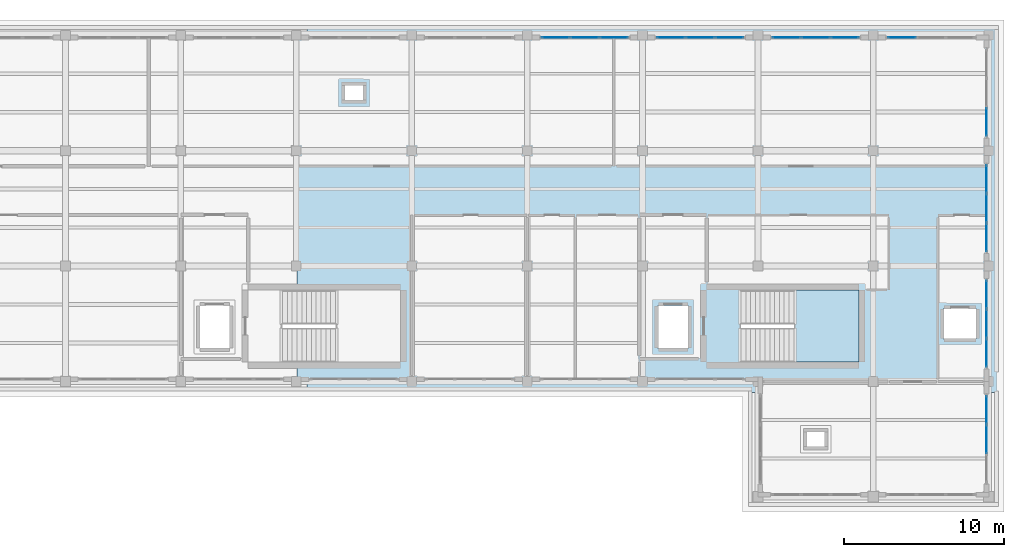
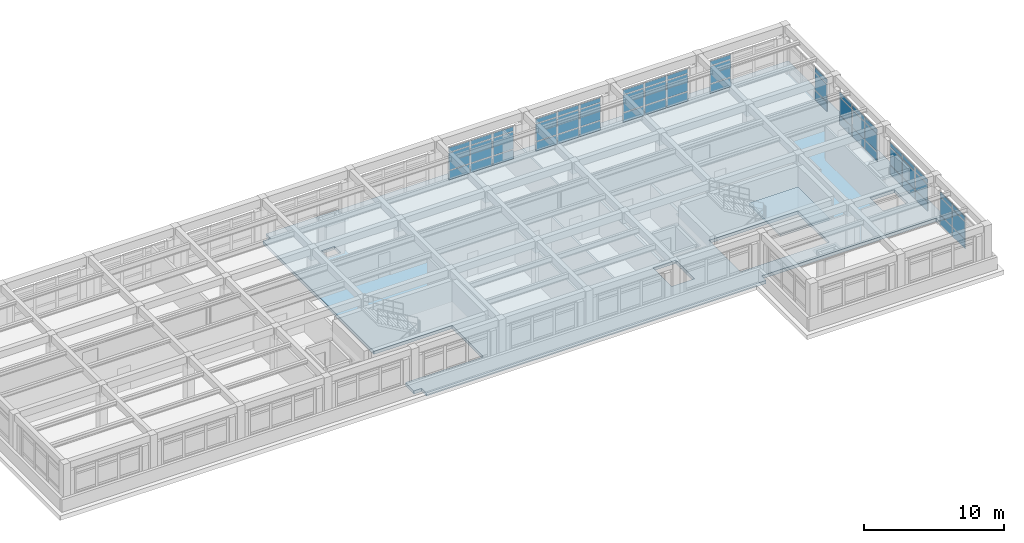
# One storey, part 13 of 19: 57 plates, 2 slabs, 9 elements without a shape of their own.
"""IFC4 building model written with IfcOpenShell, lengths in metres."""

from ifc_helpers import new_model, si_unit, direction, frame, origin, origin_2d, place, context, subcontext, project, spatial, polyline, rectangle, outline, extrude, material, layer, layer_set, type_object, element, aggregate, save


model = new_model("IFC4")

# Units and contexts
model_context = context("Model", 3, precision=1e-05, world=origin(), true_north=direction((0.0, 1.0)))
body_context = subcontext(model_context, "Body", "Model", "MODEL_VIEW")
ifc_project = project(units=[si_unit("LENGTHUNIT", "METRE"), si_unit("AREAUNIT", "SQUARE_METRE"), si_unit("VOLUMEUNIT", "CUBIC_METRE"), si_unit("PLANEANGLEUNIT", "RADIAN"), si_unit("MASSUNIT", "GRAM", prefix="KILO")], contexts=[model_context])

# Site, building, storey
site_placement = place(None, origin())
site = spatial("IfcSite", under=ifc_project, at=site_placement, CompositionType="ELEMENT")
building_placement = place(site_placement, origin())
building = spatial("IfcBuilding", under=site, at=building_placement, Name="Solenvale Faculty of Natural Sciences", CompositionType="ELEMENT")
storey_placement = place(building_placement, frame((0.0, 0.0, 27.0)))
storey = spatial("IfcBuildingStorey", under=building, at=storey_placement, Name="L06", CompositionType="ELEMENT", Elevation=27.0)

# Curtain wall, plates
ifc_material_1 = material(Name="Anodised bronze aluminium", Category="aluminium")
ifc_layer_1 = layer(ifc_material_1, 0.179931640625)
ifc_layer_set_1 = layer_set([ifc_layer_1], Name="Anodised bronze aluminium")
curtain_wall_type = type_object("IfcCurtainWallType", Name="CW-TWR-MOD", PredefinedType="USERDEFINED", material=ifc_layer_set_1)
curtain_wall_1_placement = place(storey_placement, origin())
curtain_wall_1 = element("IfcCurtainWall", 1, at=curtain_wall_1_placement, inside=storey, type_object=curtain_wall_type, Name="L06 Curtain Wall CW-L06-P1-E1-B1", ObjectType="UNITISED CURTAIN WALL", PredefinedType="USERDEFINED")
ifc_material_2 = material(Name="Triple low-E insulated glass", Category="glass")
ifc_layer_2 = layer(ifc_material_2, 0.031982421875)
ifc_layer_set_2 = layer_set([ifc_layer_2], Name="Triple low-E insulated glass")
plate_type_1 = type_object("IfcPlateType", Name="CWP-PNL-32", PredefinedType="CURTAIN_PANEL", material=ifc_layer_set_2)
plate_1_placement = place(storey_placement, frame((151.0576171875, 95.385498046875, 0.074951171875), z_axis=(0.0, 0.0, 1.0), x_axis=(0.0, 1.0, 0.0)))
plate_1 = element("IfcPlate", 2, at=plate_1_placement, type_object=plate_type_1, Name="CW-04 panel 1.1", PredefinedType="CURTAIN_PANEL", context=body_context, shape_type="SweptSolid", body=[
    extrude(rectangle(XDim=1.720947265625, YDim=0.031982421875, at=origin_2d()), origin(), (0.0, 0.0, 1.0), 0.78759765625),
])
plate_2_placement = place(storey_placement, frame((151.0576171875, 95.385498046875, 0.9375), z_axis=(0.0, 0.0, 1.0), x_axis=(0.0, 1.0, 0.0)))
plate_2 = element("IfcPlate", 3, at=plate_2_placement, type_object=plate_type_1, Name="CW-04 panel 1.2", PredefinedType="CURTAIN_PANEL", context=body_context, shape_type="SweptSolid", body=[
    extrude(rectangle(XDim=1.720947265625, YDim=0.031982421875, at=origin_2d()), origin(), (0.0, 0.0, 1.0), 1.485107421875),
])
plate_3_placement = place(storey_placement, frame((151.0576171875, 95.385498046875, 2.49755859375), z_axis=(0.0, 0.0, 1.0), x_axis=(0.0, 1.0, 0.0)))
plate_3 = element("IfcPlate", 4, at=plate_3_placement, type_object=plate_type_1, Name="CW-04 panel 1.3", PredefinedType="CURTAIN_PANEL", context=body_context, shape_type="SweptSolid", body=[
    extrude(rectangle(XDim=1.720947265625, YDim=0.031982421875, at=origin_2d()), origin(), (0.0, 0.0, 1.0), 0.387451171875),
])
plate_4_placement = place(storey_placement, frame((151.0576171875, 97.199951171875, 0.074951171875), z_axis=(0.0, 0.0, 1.0), x_axis=(0.0, 1.0, 0.0)))
plate_4 = element("IfcPlate", 5, at=plate_4_placement, type_object=plate_type_1, Name="CW-04 panel 2.1", PredefinedType="CURTAIN_PANEL", context=body_context, shape_type="SweptSolid", body=[
    extrude(rectangle(XDim=1.75830078125, YDim=0.031982421875, at=origin_2d()), origin(), (0.0, 0.0, 1.0), 0.78759765625),
])
plate_5_placement = place(storey_placement, frame((151.0576171875, 97.199951171875, 0.9375), z_axis=(0.0, 0.0, 1.0), x_axis=(0.0, 1.0, 0.0)))
plate_5 = element("IfcPlate", 6, at=plate_5_placement, type_object=plate_type_1, Name="CW-04 panel 2.2", PredefinedType="CURTAIN_PANEL", context=body_context, shape_type="SweptSolid", body=[
    extrude(rectangle(XDim=1.75830078125, YDim=0.031982421875, at=origin_2d()), origin(), (0.0, 0.0, 1.0), 1.485107421875),
])
plate_6_placement = place(storey_placement, frame((151.0576171875, 97.199951171875, 2.49755859375), z_axis=(0.0, 0.0, 1.0), x_axis=(0.0, 1.0, 0.0)))
plate_6 = element("IfcPlate", 7, at=plate_6_placement, type_object=plate_type_1, Name="CW-04 panel 2.3", PredefinedType="CURTAIN_PANEL", context=body_context, shape_type="SweptSolid", body=[
    extrude(rectangle(XDim=1.75830078125, YDim=0.031982421875, at=origin_2d()), origin(), (0.0, 0.0, 1.0), 0.387451171875),
])
plate_7_placement = place(storey_placement, frame((151.0576171875, 99.0146484375, 0.074951171875), z_axis=(0.0, 0.0, 1.0), x_axis=(0.0, 1.0, 0.0)))
plate_7 = element("IfcPlate", 8, at=plate_7_placement, type_object=plate_type_1, Name="CW-04 panel 3.1", PredefinedType="CURTAIN_PANEL", context=body_context, shape_type="SweptSolid", body=[
    extrude(rectangle(XDim=1.720947265625, YDim=0.031982421875, at=origin_2d()), origin(), (0.0, 0.0, 1.0), 0.78759765625),
])
plate_8_placement = place(storey_placement, frame((151.0576171875, 99.0146484375, 0.9375), z_axis=(0.0, 0.0, 1.0), x_axis=(0.0, 1.0, 0.0)))
plate_8 = element("IfcPlate", 9, at=plate_8_placement, type_object=plate_type_1, Name="CW-04 panel 3.2", PredefinedType="CURTAIN_PANEL", context=body_context, shape_type="SweptSolid", body=[
    extrude(rectangle(XDim=1.720947265625, YDim=0.031982421875, at=origin_2d()), origin(), (0.0, 0.0, 1.0), 1.485107421875),
])
plate_9_placement = place(storey_placement, frame((151.0576171875, 99.0146484375, 2.49755859375), z_axis=(0.0, 0.0, 1.0), x_axis=(0.0, 1.0, 0.0)))
plate_9 = element("IfcPlate", 10, at=plate_9_placement, type_object=plate_type_1, Name="CW-04 panel 3.3", PredefinedType="CURTAIN_PANEL", context=body_context, shape_type="SweptSolid", body=[
    extrude(rectangle(XDim=1.720947265625, YDim=0.031982421875, at=origin_2d()), origin(), (0.0, 0.0, 1.0), 0.387451171875),
])
aggregate(curtain_wall_1, [plate_1, plate_2, plate_3, plate_4, plate_5, plate_6, plate_7, plate_8, plate_9])

curtain_wall_2_placement = place(storey_placement, origin())
curtain_wall_2 = element("IfcCurtainWall", 11, at=curtain_wall_2_placement, inside=storey, type_object=curtain_wall_type, Name="L06 Curtain Wall CW-L06-P1-E1-B2", ObjectType="UNITISED CURTAIN WALL", PredefinedType="USERDEFINED")
ifc_layer_3 = layer(ifc_material_2, 0.035888671875)
ifc_layer_set_3 = layer_set([ifc_layer_3], Name="Triple low-E insulated glass")
plate_type_2 = type_object("IfcPlateType", Name="CWP-PNL-36", PredefinedType="CURTAIN_PANEL", material=ifc_layer_set_3)
plate_10_placement = place(storey_placement, frame((151.0576171875, 102.58544921875, 0.074951171875), z_axis=(0.0, 0.0, 1.0), x_axis=(0.0, 1.0, 0.0)))
plate_10 = element("IfcPlate", 12, at=plate_10_placement, type_object=plate_type_2, Name="CW-04 panel 1.1", PredefinedType="CURTAIN_PANEL", context=body_context, shape_type="SweptSolid", body=[
    extrude(rectangle(XDim=1.720947265625, YDim=0.035888671875, at=origin_2d()), origin(), (0.0, 0.0, 1.0), 0.78759765625),
])
plate_11_placement = place(storey_placement, frame((151.0576171875, 102.58544921875, 0.9375), z_axis=(0.0, 0.0, 1.0), x_axis=(0.0, 1.0, 0.0)))
plate_11 = element("IfcPlate", 13, at=plate_11_placement, type_object=plate_type_2, Name="CW-04 panel 1.2", PredefinedType="CURTAIN_PANEL", context=body_context, shape_type="SweptSolid", body=[
    extrude(rectangle(XDim=1.720947265625, YDim=0.035888671875, at=origin_2d()), origin(), (0.0, 0.0, 1.0), 1.485107421875),
])
plate_12_placement = place(storey_placement, frame((151.0576171875, 102.58544921875, 2.49755859375), z_axis=(0.0, 0.0, 1.0), x_axis=(0.0, 1.0, 0.0)))
plate_12 = element("IfcPlate", 14, at=plate_12_placement, type_object=plate_type_2, Name="CW-04 panel 1.3", PredefinedType="CURTAIN_PANEL", context=body_context, shape_type="SweptSolid", body=[
    extrude(rectangle(XDim=1.720947265625, YDim=0.035888671875, at=origin_2d()), origin(), (0.0, 0.0, 1.0), 0.387451171875),
])
plate_13_placement = place(storey_placement, frame((151.0576171875, 104.39990234375, 0.074951171875), z_axis=(0.0, 0.0, 1.0), x_axis=(0.0, 1.0, 0.0)))
plate_13 = element("IfcPlate", 15, at=plate_13_placement, type_object=plate_type_2, Name="CW-04 panel 2.1", PredefinedType="CURTAIN_PANEL", context=body_context, shape_type="SweptSolid", body=[
    extrude(rectangle(XDim=1.75830078125, YDim=0.035888671875, at=origin_2d()), origin(), (0.0, 0.0, 1.0), 0.78759765625),
])
plate_14_placement = place(storey_placement, frame((151.0576171875, 104.39990234375, 0.9375), z_axis=(0.0, 0.0, 1.0), x_axis=(0.0, 1.0, 0.0)))
plate_14 = element("IfcPlate", 16, at=plate_14_placement, type_object=plate_type_2, Name="CW-04 panel 2.2", PredefinedType="CURTAIN_PANEL", context=body_context, shape_type="SweptSolid", body=[
    extrude(rectangle(XDim=1.75830078125, YDim=0.035888671875, at=origin_2d()), origin(), (0.0, 0.0, 1.0), 1.485107421875),
])
plate_15_placement = place(storey_placement, frame((151.0576171875, 104.39990234375, 2.49755859375), z_axis=(0.0, 0.0, 1.0), x_axis=(0.0, 1.0, 0.0)))
plate_15 = element("IfcPlate", 17, at=plate_15_placement, type_object=plate_type_2, Name="CW-04 panel 2.3", PredefinedType="CURTAIN_PANEL", context=body_context, shape_type="SweptSolid", body=[
    extrude(rectangle(XDim=1.75830078125, YDim=0.035888671875, at=origin_2d()), origin(), (0.0, 0.0, 1.0), 0.387451171875),
])
plate_16_placement = place(storey_placement, frame((151.0576171875, 106.214599609375, 0.074951171875), z_axis=(0.0, 0.0, 1.0), x_axis=(0.0, 1.0, 0.0)))
plate_16 = element("IfcPlate", 18, at=plate_16_placement, type_object=plate_type_2, Name="CW-04 panel 3.1", PredefinedType="CURTAIN_PANEL", context=body_context, shape_type="SweptSolid", body=[
    extrude(rectangle(XDim=1.720947265625, YDim=0.035888671875, at=origin_2d()), origin(), (0.0, 0.0, 1.0), 0.78759765625),
])
plate_17_placement = place(storey_placement, frame((151.0576171875, 106.214599609375, 0.9375), z_axis=(0.0, 0.0, 1.0), x_axis=(0.0, 1.0, 0.0)))
plate_17 = element("IfcPlate", 19, at=plate_17_placement, type_object=plate_type_2, Name="CW-04 panel 3.2", PredefinedType="CURTAIN_PANEL", context=body_context, shape_type="SweptSolid", body=[
    extrude(rectangle(XDim=1.720947265625, YDim=0.035888671875, at=origin_2d()), origin(), (0.0, 0.0, 1.0), 1.485107421875),
])
plate_18_placement = place(storey_placement, frame((151.0576171875, 106.214599609375, 2.49755859375), z_axis=(0.0, 0.0, 1.0), x_axis=(0.0, 1.0, 0.0)))
plate_18 = element("IfcPlate", 20, at=plate_18_placement, type_object=plate_type_2, Name="CW-04 panel 3.3", PredefinedType="CURTAIN_PANEL", context=body_context, shape_type="SweptSolid", body=[
    extrude(rectangle(XDim=1.720947265625, YDim=0.035888671875, at=origin_2d()), origin(), (0.0, 0.0, 1.0), 0.387451171875),
])
aggregate(curtain_wall_2, [plate_10, plate_11, plate_12, plate_13, plate_14, plate_15, plate_16, plate_17, plate_18])

curtain_wall_3_placement = place(storey_placement, origin())
curtain_wall_3 = element("IfcCurtainWall", 21, at=curtain_wall_3_placement, inside=storey, type_object=curtain_wall_type, Name="L06 Curtain Wall CW-L06-P1-E2-B1", ObjectType="UNITISED CURTAIN WALL", PredefinedType="USERDEFINED")
plate_19_placement = place(storey_placement, frame((145.785400390625, 115.0576171875, 0.074951171875), z_axis=(0.0, 0.0, 1.0), x_axis=(-1.0, 0.0, 0.0)))
plate_19 = element("IfcPlate", 22, at=plate_19_placement, type_object=plate_type_2, Name="CW-04 panel 3.1", PredefinedType="CURTAIN_PANEL", context=body_context, shape_type="SweptSolid", body=[
    extrude(rectangle(XDim=1.720947265625, YDim=0.035888671875, at=origin_2d()), origin(), (0.0, 0.0, 1.0), 0.78759765625),
])
plate_20_placement = place(storey_placement, frame((145.785400390625, 115.0576171875, 0.9375), z_axis=(0.0, 0.0, 1.0), x_axis=(-1.0, 0.0, 0.0)))
plate_20 = element("IfcPlate", 23, at=plate_20_placement, type_object=plate_type_2, Name="CW-04 panel 3.2", PredefinedType="CURTAIN_PANEL", context=body_context, shape_type="SweptSolid", body=[
    extrude(rectangle(XDim=1.720947265625, YDim=0.035888671875, at=origin_2d()), origin(), (0.0, 0.0, 1.0), 1.485107421875),
])
plate_21_placement = place(storey_placement, frame((145.785400390625, 115.0576171875, 2.49755859375), z_axis=(0.0, 0.0, 1.0), x_axis=(-1.0, 0.0, 0.0)))
plate_21 = element("IfcPlate", 24, at=plate_21_placement, type_object=plate_type_2, Name="CW-04 panel 3.3", PredefinedType="CURTAIN_PANEL", context=body_context, shape_type="SweptSolid", body=[
    extrude(rectangle(XDim=1.720947265625, YDim=0.035888671875, at=origin_2d()), origin(), (0.0, 0.0, 1.0), 0.387451171875),
])
aggregate(curtain_wall_3, [plate_19, plate_20, plate_21])

curtain_wall_4_placement = place(storey_placement, origin())
curtain_wall_4 = element("IfcCurtainWall", 25, at=curtain_wall_4_placement, inside=storey, type_object=curtain_wall_type, Name="L06 Curtain Wall CW-L06-P1-E1-B3", ObjectType="UNITISED CURTAIN WALL", PredefinedType="USERDEFINED")
ifc_layer_4 = layer(ifc_material_2, 0.0400390625)
ifc_layer_set_4 = layer_set([ifc_layer_4], Name="Triple low-E insulated glass")
plate_type_3 = type_object("IfcPlateType", Name="CWP-PNL-40", PredefinedType="CURTAIN_PANEL", material=ifc_layer_set_4)
plate_22_placement = place(storey_placement, frame((151.0576171875, 109.785400390625, 0.074951171875), z_axis=(0.0, 0.0, 1.0), x_axis=(0.0, 1.0, 0.0)))
plate_22 = element("IfcPlate", 26, at=plate_22_placement, type_object=plate_type_3, Name="CW-04 panel 1.1", PredefinedType="CURTAIN_PANEL", context=body_context, shape_type="SweptSolid", body=[
    extrude(rectangle(XDim=1.720947265625, YDim=0.0400390625, at=origin_2d()), origin(), (0.0, 0.0, 1.0), 0.78759765625),
])
plate_23_placement = place(storey_placement, frame((151.0576171875, 109.785400390625, 0.9375), z_axis=(0.0, 0.0, 1.0), x_axis=(0.0, 1.0, 0.0)))
plate_23 = element("IfcPlate", 27, at=plate_23_placement, type_object=plate_type_3, Name="CW-04 panel 1.2", PredefinedType="CURTAIN_PANEL", context=body_context, shape_type="SweptSolid", body=[
    extrude(rectangle(XDim=1.720947265625, YDim=0.0400390625, at=origin_2d()), origin(), (0.0, 0.0, 1.0), 1.485107421875),
])
plate_24_placement = place(storey_placement, frame((151.0576171875, 109.785400390625, 2.49755859375), z_axis=(0.0, 0.0, 1.0), x_axis=(0.0, 1.0, 0.0)))
plate_24 = element("IfcPlate", 28, at=plate_24_placement, type_object=plate_type_3, Name="CW-04 panel 1.3", PredefinedType="CURTAIN_PANEL", context=body_context, shape_type="SweptSolid", body=[
    extrude(rectangle(XDim=1.720947265625, YDim=0.0400390625, at=origin_2d()), origin(), (0.0, 0.0, 1.0), 0.387451171875),
])
aggregate(curtain_wall_4, [plate_22, plate_23, plate_24])

curtain_wall_5_placement = place(storey_placement, origin())
curtain_wall_5 = element("IfcCurtainWall", 29, at=curtain_wall_5_placement, inside=storey, type_object=curtain_wall_type, Name="L06 Curtain Wall CW-L06-P1-E2-B2", ObjectType="UNITISED CURTAIN WALL", PredefinedType="USERDEFINED")
plate_25_placement = place(storey_placement, frame((142.214599609375, 115.0576171875, 0.074951171875), z_axis=(0.0, 0.0, 1.0), x_axis=(-1.0, 0.0, 0.0)))
plate_25 = element("IfcPlate", 30, at=plate_25_placement, type_object=plate_type_3, Name="CW-04 panel 1.1", PredefinedType="CURTAIN_PANEL", context=body_context, shape_type="SweptSolid", body=[
    extrude(rectangle(XDim=1.720947265625, YDim=0.0400390625, at=origin_2d()), origin(), (0.0, 0.0, 1.0), 0.78759765625),
])
plate_26_placement = place(storey_placement, frame((142.214599609375, 115.0576171875, 0.9375), z_axis=(0.0, 0.0, 1.0), x_axis=(-1.0, 0.0, 0.0)))
plate_26 = element("IfcPlate", 31, at=plate_26_placement, type_object=plate_type_3, Name="CW-04 panel 1.2", PredefinedType="CURTAIN_PANEL", context=body_context, shape_type="SweptSolid", body=[
    extrude(rectangle(XDim=1.720947265625, YDim=0.0400390625, at=origin_2d()), origin(), (0.0, 0.0, 1.0), 1.485107421875),
])
plate_27_placement = place(storey_placement, frame((142.214599609375, 115.0576171875, 2.49755859375), z_axis=(0.0, 0.0, 1.0), x_axis=(-1.0, 0.0, 0.0)))
plate_27 = element("IfcPlate", 32, at=plate_27_placement, type_object=plate_type_3, Name="CW-04 panel 1.3", PredefinedType="CURTAIN_PANEL", context=body_context, shape_type="SweptSolid", body=[
    extrude(rectangle(XDim=1.720947265625, YDim=0.0400390625, at=origin_2d()), origin(), (0.0, 0.0, 1.0), 0.387451171875),
])
plate_28_placement = place(storey_placement, frame((140.39990234375, 115.0576171875, 0.074951171875), z_axis=(0.0, 0.0, 1.0), x_axis=(-1.0, 0.0, 0.0)))
plate_28 = element("IfcPlate", 33, at=plate_28_placement, type_object=plate_type_3, Name="CW-04 panel 2.1", PredefinedType="CURTAIN_PANEL", context=body_context, shape_type="SweptSolid", body=[
    extrude(rectangle(XDim=1.75830078125, YDim=0.0400390625, at=origin_2d()), origin(), (0.0, 0.0, 1.0), 0.78759765625),
])
plate_29_placement = place(storey_placement, frame((140.39990234375, 115.0576171875, 0.9375), z_axis=(0.0, 0.0, 1.0), x_axis=(-1.0, 0.0, 0.0)))
plate_29 = element("IfcPlate", 34, at=plate_29_placement, type_object=plate_type_3, Name="CW-04 panel 2.2", PredefinedType="CURTAIN_PANEL", context=body_context, shape_type="SweptSolid", body=[
    extrude(rectangle(XDim=1.75830078125, YDim=0.0400390625, at=origin_2d()), origin(), (0.0, 0.0, 1.0), 1.485107421875),
])
plate_30_placement = place(storey_placement, frame((140.39990234375, 115.0576171875, 2.49755859375), z_axis=(0.0, 0.0, 1.0), x_axis=(-1.0, 0.0, 0.0)))
plate_30 = element("IfcPlate", 35, at=plate_30_placement, type_object=plate_type_3, Name="CW-04 panel 2.3", PredefinedType="CURTAIN_PANEL", context=body_context, shape_type="SweptSolid", body=[
    extrude(rectangle(XDim=1.75830078125, YDim=0.0400390625, at=origin_2d()), origin(), (0.0, 0.0, 1.0), 0.387451171875),
])
plate_31_placement = place(storey_placement, frame((138.58544921875, 115.0576171875, 0.074951171875), z_axis=(0.0, 0.0, 1.0), x_axis=(-1.0, 0.0, 0.0)))
plate_31 = element("IfcPlate", 36, at=plate_31_placement, type_object=plate_type_3, Name="CW-04 panel 3.1", PredefinedType="CURTAIN_PANEL", context=body_context, shape_type="SweptSolid", body=[
    extrude(rectangle(XDim=1.720947265625, YDim=0.0400390625, at=origin_2d()), origin(), (0.0, 0.0, 1.0), 0.78759765625),
])
plate_32_placement = place(storey_placement, frame((138.58544921875, 115.0576171875, 0.9375), z_axis=(0.0, 0.0, 1.0), x_axis=(-1.0, 0.0, 0.0)))
plate_32 = element("IfcPlate", 37, at=plate_32_placement, type_object=plate_type_3, Name="CW-04 panel 3.2", PredefinedType="CURTAIN_PANEL", context=body_context, shape_type="SweptSolid", body=[
    extrude(rectangle(XDim=1.720947265625, YDim=0.0400390625, at=origin_2d()), origin(), (0.0, 0.0, 1.0), 1.485107421875),
])
plate_33_placement = place(storey_placement, frame((138.58544921875, 115.0576171875, 2.49755859375), z_axis=(0.0, 0.0, 1.0), x_axis=(-1.0, 0.0, 0.0)))
plate_33 = element("IfcPlate", 38, at=plate_33_placement, type_object=plate_type_3, Name="CW-04 panel 3.3", PredefinedType="CURTAIN_PANEL", context=body_context, shape_type="SweptSolid", body=[
    extrude(rectangle(XDim=1.720947265625, YDim=0.0400390625, at=origin_2d()), origin(), (0.0, 0.0, 1.0), 0.387451171875),
])
aggregate(curtain_wall_5, [plate_25, plate_26, plate_27, plate_28, plate_29, plate_30, plate_31, plate_32, plate_33])

curtain_wall_6_placement = place(storey_placement, origin())
curtain_wall_6 = element("IfcCurtainWall", 39, at=curtain_wall_6_placement, inside=storey, type_object=curtain_wall_type, Name="L06 Curtain Wall CW-L06-P1-E2-B3", ObjectType="UNITISED CURTAIN WALL", PredefinedType="USERDEFINED")
ifc_layer_5 = layer(ifc_material_2, 0.0439453125)
ifc_layer_set_5 = layer_set([ifc_layer_5], Name="Triple low-E insulated glass")
plate_type_4 = type_object("IfcPlateType", Name="CWP-PNL-44", PredefinedType="CURTAIN_PANEL", material=ifc_layer_set_5)
plate_34_placement = place(storey_placement, frame((135.0146484375, 115.0576171875, 0.074951171875), z_axis=(0.0, 0.0, 1.0), x_axis=(-1.0, 0.0, 0.0)))
plate_34 = element("IfcPlate", 40, at=plate_34_placement, type_object=plate_type_4, Name="CW-04 panel 1.1", PredefinedType="CURTAIN_PANEL", context=body_context, shape_type="SweptSolid", body=[
    extrude(rectangle(XDim=1.720947265625, YDim=0.0439453125, at=origin_2d()), origin(), (0.0, 0.0, 1.0), 0.78759765625),
])
plate_35_placement = place(storey_placement, frame((135.0146484375, 115.0576171875, 0.9375), z_axis=(0.0, 0.0, 1.0), x_axis=(-1.0, 0.0, 0.0)))
plate_35 = element("IfcPlate", 41, at=plate_35_placement, type_object=plate_type_4, Name="CW-04 panel 1.2", PredefinedType="CURTAIN_PANEL", context=body_context, shape_type="SweptSolid", body=[
    extrude(rectangle(XDim=1.720947265625, YDim=0.0439453125, at=origin_2d()), origin(), (0.0, 0.0, 1.0), 1.485107421875),
])
plate_36_placement = place(storey_placement, frame((135.0146484375, 115.0576171875, 2.49755859375), z_axis=(0.0, 0.0, 1.0), x_axis=(-1.0, 0.0, 0.0)))
plate_36 = element("IfcPlate", 42, at=plate_36_placement, type_object=plate_type_4, Name="CW-04 panel 1.3", PredefinedType="CURTAIN_PANEL", context=body_context, shape_type="SweptSolid", body=[
    extrude(rectangle(XDim=1.720947265625, YDim=0.0439453125, at=origin_2d()), origin(), (0.0, 0.0, 1.0), 0.387451171875),
])
plate_37_placement = place(storey_placement, frame((133.199951171875, 115.0576171875, 0.074951171875), z_axis=(0.0, 0.0, 1.0), x_axis=(-1.0, 0.0, 0.0)))
plate_37 = element("IfcPlate", 43, at=plate_37_placement, type_object=plate_type_4, Name="CW-04 panel 2.1", PredefinedType="CURTAIN_PANEL", context=body_context, shape_type="SweptSolid", body=[
    extrude(rectangle(XDim=1.75830078125, YDim=0.0439453125, at=origin_2d()), origin(), (0.0, 0.0, 1.0), 0.78759765625),
])
plate_38_placement = place(storey_placement, frame((133.199951171875, 115.0576171875, 0.9375), z_axis=(0.0, 0.0, 1.0), x_axis=(-1.0, 0.0, 0.0)))
plate_38 = element("IfcPlate", 44, at=plate_38_placement, type_object=plate_type_4, Name="CW-04 panel 2.2", PredefinedType="CURTAIN_PANEL", context=body_context, shape_type="SweptSolid", body=[
    extrude(rectangle(XDim=1.75830078125, YDim=0.0439453125, at=origin_2d()), origin(), (0.0, 0.0, 1.0), 1.485107421875),
])
plate_39_placement = place(storey_placement, frame((133.199951171875, 115.0576171875, 2.49755859375), z_axis=(0.0, 0.0, 1.0), x_axis=(-1.0, 0.0, 0.0)))
plate_39 = element("IfcPlate", 45, at=plate_39_placement, type_object=plate_type_4, Name="CW-04 panel 2.3", PredefinedType="CURTAIN_PANEL", context=body_context, shape_type="SweptSolid", body=[
    extrude(rectangle(XDim=1.75830078125, YDim=0.0439453125, at=origin_2d()), origin(), (0.0, 0.0, 1.0), 0.387451171875),
])
plate_40_placement = place(storey_placement, frame((131.385498046875, 115.0576171875, 0.074951171875), z_axis=(0.0, 0.0, 1.0), x_axis=(-1.0, 0.0, 0.0)))
plate_40 = element("IfcPlate", 46, at=plate_40_placement, type_object=plate_type_4, Name="CW-04 panel 3.1", PredefinedType="CURTAIN_PANEL", context=body_context, shape_type="SweptSolid", body=[
    extrude(rectangle(XDim=1.720947265625, YDim=0.0439453125, at=origin_2d()), origin(), (0.0, 0.0, 1.0), 0.78759765625),
])
plate_41_placement = place(storey_placement, frame((131.385498046875, 115.0576171875, 0.9375), z_axis=(0.0, 0.0, 1.0), x_axis=(-1.0, 0.0, 0.0)))
plate_41 = element("IfcPlate", 47, at=plate_41_placement, type_object=plate_type_4, Name="CW-04 panel 3.2", PredefinedType="CURTAIN_PANEL", context=body_context, shape_type="SweptSolid", body=[
    extrude(rectangle(XDim=1.720947265625, YDim=0.0439453125, at=origin_2d()), origin(), (0.0, 0.0, 1.0), 1.485107421875),
])
plate_42_placement = place(storey_placement, frame((131.385498046875, 115.0576171875, 2.49755859375), z_axis=(0.0, 0.0, 1.0), x_axis=(-1.0, 0.0, 0.0)))
plate_42 = element("IfcPlate", 48, at=plate_42_placement, type_object=plate_type_4, Name="CW-04 panel 3.3", PredefinedType="CURTAIN_PANEL", context=body_context, shape_type="SweptSolid", body=[
    extrude(rectangle(XDim=1.720947265625, YDim=0.0439453125, at=origin_2d()), origin(), (0.0, 0.0, 1.0), 0.387451171875),
])
aggregate(curtain_wall_6, [plate_34, plate_35, plate_36, plate_37, plate_38, plate_39, plate_40, plate_41, plate_42])

curtain_wall_7_placement = place(storey_placement, origin())
curtain_wall_7 = element("IfcCurtainWall", 49, at=curtain_wall_7_placement, inside=storey, type_object=curtain_wall_type, Name="L06 Curtain Wall CW-L06-P1-E2-B4", ObjectType="UNITISED CURTAIN WALL", PredefinedType="USERDEFINED")
ifc_layer_6 = layer(ifc_material_1, 0.048095703125)
ifc_layer_set_6 = layer_set([ifc_layer_6], Name="Anodised bronze aluminium")
plate_type_5 = type_object("IfcPlateType", Name="CWP-PNL-48", PredefinedType="CURTAIN_PANEL", material=ifc_layer_set_6)
plate_43_placement = place(storey_placement, frame((127.814697265625, 115.0576171875, 0.074951171875), z_axis=(0.0, 0.0, 1.0), x_axis=(-1.0, 0.0, 0.0)))
plate_43 = element("IfcPlate", 50, at=plate_43_placement, type_object=plate_type_5, Name="CW-04 panel 1.1", PredefinedType="CURTAIN_PANEL", context=body_context, shape_type="SweptSolid", body=[
    extrude(rectangle(XDim=1.720947265625, YDim=0.048095703125, at=origin_2d()), origin(), (0.0, 0.0, 1.0), 0.78759765625),
])
plate_44_placement = place(storey_placement, frame((127.814697265625, 115.0576171875, 0.9375), z_axis=(0.0, 0.0, 1.0), x_axis=(-1.0, 0.0, 0.0)))
plate_44 = element("IfcPlate", 51, at=plate_44_placement, type_object=plate_type_5, Name="CW-04 panel 1.2", PredefinedType="CURTAIN_PANEL", context=body_context, shape_type="SweptSolid", body=[
    extrude(rectangle(XDim=1.720947265625, YDim=0.048095703125, at=origin_2d()), origin(), (0.0, 0.0, 1.0), 1.485107421875),
])
plate_45_placement = place(storey_placement, frame((127.814697265625, 115.0576171875, 2.49755859375), z_axis=(0.0, 0.0, 1.0), x_axis=(-1.0, 0.0, 0.0)))
plate_45 = element("IfcPlate", 52, at=plate_45_placement, type_object=plate_type_5, Name="CW-04 panel 1.3", PredefinedType="CURTAIN_PANEL", context=body_context, shape_type="SweptSolid", body=[
    extrude(rectangle(XDim=1.720947265625, YDim=0.048095703125, at=origin_2d()), origin(), (0.0, 0.0, 1.0), 0.387451171875),
])
plate_46_placement = place(storey_placement, frame((126.0, 115.0576171875, 0.074951171875), z_axis=(0.0, 0.0, 1.0), x_axis=(-1.0, 0.0, 0.0)))
plate_46 = element("IfcPlate", 53, at=plate_46_placement, type_object=plate_type_5, Name="CW-04 panel 2.1", PredefinedType="CURTAIN_PANEL", context=body_context, shape_type="SweptSolid", body=[
    extrude(rectangle(XDim=1.75830078125, YDim=0.048095703125, at=origin_2d()), origin(), (0.0, 0.0, 1.0), 0.78759765625),
])
plate_47_placement = place(storey_placement, frame((126.0, 115.0576171875, 0.9375), z_axis=(0.0, 0.0, 1.0), x_axis=(-1.0, 0.0, 0.0)))
plate_47 = element("IfcPlate", 54, at=plate_47_placement, type_object=plate_type_5, Name="CW-04 panel 2.2", PredefinedType="CURTAIN_PANEL", context=body_context, shape_type="SweptSolid", body=[
    extrude(rectangle(XDim=1.75830078125, YDim=0.048095703125, at=origin_2d()), origin(), (0.0, 0.0, 1.0), 1.485107421875),
])
plate_48_placement = place(storey_placement, frame((126.0, 115.0576171875, 2.49755859375), z_axis=(0.0, 0.0, 1.0), x_axis=(-1.0, 0.0, 0.0)))
plate_48 = element("IfcPlate", 55, at=plate_48_placement, type_object=plate_type_5, Name="CW-04 panel 2.3", PredefinedType="CURTAIN_PANEL", context=body_context, shape_type="SweptSolid", body=[
    extrude(rectangle(XDim=1.75830078125, YDim=0.048095703125, at=origin_2d()), origin(), (0.0, 0.0, 1.0), 0.387451171875),
])
plate_49_placement = place(storey_placement, frame((124.185302734375, 115.0576171875, 0.074951171875), z_axis=(0.0, 0.0, 1.0), x_axis=(-1.0, 0.0, 0.0)))
plate_49 = element("IfcPlate", 56, at=plate_49_placement, type_object=plate_type_5, Name="CW-04 panel 3.1", PredefinedType="CURTAIN_PANEL", context=body_context, shape_type="SweptSolid", body=[
    extrude(rectangle(XDim=1.720947265625, YDim=0.048095703125, at=origin_2d()), origin(), (0.0, 0.0, 1.0), 0.78759765625),
])
plate_50_placement = place(storey_placement, frame((124.185302734375, 115.0576171875, 0.9375), z_axis=(0.0, 0.0, 1.0), x_axis=(-1.0, 0.0, 0.0)))
plate_50 = element("IfcPlate", 57, at=plate_50_placement, type_object=plate_type_5, Name="CW-04 panel 3.2", PredefinedType="CURTAIN_PANEL", context=body_context, shape_type="SweptSolid", body=[
    extrude(rectangle(XDim=1.720947265625, YDim=0.048095703125, at=origin_2d()), origin(), (0.0, 0.0, 1.0), 1.485107421875),
])
plate_51_placement = place(storey_placement, frame((124.185302734375, 115.0576171875, 2.49755859375), z_axis=(0.0, 0.0, 1.0), x_axis=(-1.0, 0.0, 0.0)))
plate_51 = element("IfcPlate", 58, at=plate_51_placement, type_object=plate_type_5, Name="CW-04 panel 3.3", PredefinedType="CURTAIN_PANEL", context=body_context, shape_type="SweptSolid", body=[
    extrude(rectangle(XDim=1.720947265625, YDim=0.048095703125, at=origin_2d()), origin(), (0.0, 0.0, 1.0), 0.387451171875),
])
aggregate(curtain_wall_7, [plate_43, plate_44, plate_45, plate_46, plate_47, plate_48, plate_49, plate_50, plate_51])

curtain_wall_8_placement = place(storey_placement, origin())
curtain_wall_8 = element("IfcCurtainWall", 59, at=curtain_wall_8_placement, inside=storey, type_object=curtain_wall_type, Name="L06 Curtain Wall CW-L06-P1-E7-B1", ObjectType="UNITISED CURTAIN WALL", PredefinedType="USERDEFINED")
ifc_layer_7 = layer(ifc_material_1, 0.06005859375)
ifc_layer_set_7 = layer_set([ifc_layer_7], Name="Anodised bronze aluminium")
plate_type_6 = type_object("IfcPlateType", Name="CWP-PNL-60", PredefinedType="CURTAIN_PANEL", material=ifc_layer_set_7)
plate_52_placement = place(storey_placement, frame((151.0576171875, 90.0, 0.074951171875), z_axis=(0.0, 0.0, 1.0), x_axis=(0.0, 1.0, 0.0)))
plate_52 = element("IfcPlate", 60, at=plate_52_placement, type_object=plate_type_6, Name="CW-04 panel 2.1", PredefinedType="CURTAIN_PANEL", context=body_context, shape_type="SweptSolid", body=[
    extrude(rectangle(XDim=1.75830078125, YDim=0.06005859375, at=origin_2d()), origin(), (0.0, 0.0, 1.0), 0.78759765625),
])
plate_53_placement = place(storey_placement, frame((151.0576171875, 90.0, 0.9375), z_axis=(0.0, 0.0, 1.0), x_axis=(0.0, 1.0, 0.0)))
plate_53 = element("IfcPlate", 61, at=plate_53_placement, type_object=plate_type_6, Name="CW-04 panel 2.2", PredefinedType="CURTAIN_PANEL", context=body_context, shape_type="SweptSolid", body=[
    extrude(rectangle(XDim=1.75830078125, YDim=0.06005859375, at=origin_2d()), origin(), (0.0, 0.0, 1.0), 1.485107421875),
])
plate_54_placement = place(storey_placement, frame((151.0576171875, 90.0, 2.49755859375), z_axis=(0.0, 0.0, 1.0), x_axis=(0.0, 1.0, 0.0)))
plate_54 = element("IfcPlate", 62, at=plate_54_placement, type_object=plate_type_6, Name="CW-04 panel 2.3", PredefinedType="CURTAIN_PANEL", context=body_context, shape_type="SweptSolid", body=[
    extrude(rectangle(XDim=1.75830078125, YDim=0.06005859375, at=origin_2d()), origin(), (0.0, 0.0, 1.0), 0.387451171875),
])
plate_55_placement = place(storey_placement, frame((151.0576171875, 91.814697265625, 0.074951171875), z_axis=(0.0, 0.0, 1.0), x_axis=(0.0, 1.0, 0.0)))
plate_55 = element("IfcPlate", 63, at=plate_55_placement, type_object=plate_type_6, Name="CW-04 panel 3.1", PredefinedType="CURTAIN_PANEL", context=body_context, shape_type="SweptSolid", body=[
    extrude(rectangle(XDim=1.720947265625, YDim=0.06005859375, at=origin_2d()), origin(), (0.0, 0.0, 1.0), 0.78759765625),
])
plate_56_placement = place(storey_placement, frame((151.0576171875, 91.814697265625, 0.9375), z_axis=(0.0, 0.0, 1.0), x_axis=(0.0, 1.0, 0.0)))
plate_56 = element("IfcPlate", 64, at=plate_56_placement, type_object=plate_type_6, Name="CW-04 panel 3.2", PredefinedType="CURTAIN_PANEL", context=body_context, shape_type="SweptSolid", body=[
    extrude(rectangle(XDim=1.720947265625, YDim=0.06005859375, at=origin_2d()), origin(), (0.0, 0.0, 1.0), 1.485107421875),
])
plate_57_placement = place(storey_placement, frame((151.0576171875, 91.814697265625, 2.49755859375), z_axis=(0.0, 0.0, 1.0), x_axis=(0.0, 1.0, 0.0)))
plate_57 = element("IfcPlate", 65, at=plate_57_placement, type_object=plate_type_6, Name="CW-04 panel 3.3", PredefinedType="CURTAIN_PANEL", context=body_context, shape_type="SweptSolid", body=[
    extrude(rectangle(XDim=1.720947265625, YDim=0.06005859375, at=origin_2d()), origin(), (0.0, 0.0, 1.0), 0.387451171875),
])
aggregate(curtain_wall_8, [plate_52, plate_53, plate_54, plate_55, plate_56, plate_57])

# Slab
ifc_material_3 = material(Name="Concrete 40 MPa", Category="concrete")
ifc_layer_8 = layer(ifc_material_3, 0.280029296875)
ifc_layer_set_8 = layer_set([ifc_layer_8], Name="Concrete 40 MPa")
slab_type_1 = type_object("IfcSlabType", Name="SL-FLR-280", PredefinedType="FLOOR", material=ifc_layer_set_8)
slab_1_placement = place(storey_placement, frame((0.0, 0.0, -0.280029296875)))
element("IfcSlab", 66, at=slab_1_placement, inside=storey, type_object=slab_type_1, Name="L06 V5 Floor Slab 2.1", PredefinedType="FLOOR", context=body_context, shape_type="SweptSolid", body=[
    extrude(outline(polyline([(108.054931640625, 93.580078125), (108.037353515625, 93.58740234375), (108.030029296875, 93.60498046875), (108.030029296875, 94.77490234375), (108.03564453125, 94.791015625), (108.050048828125, 94.799560546875), (114.5, 94.800537109375), (114.5, 99.300048828125), (108.054931640625, 99.300048828125), (108.031005859375, 99.317626953125), (108.030029296875, 115.195068359375), (108.037353515625, 115.212646484375), (108.054931640625, 115.219970703125), (108.679931640625, 115.219970703125), (108.679931640625, 115.85498046875), (108.693115234375, 115.876953125), (151.85498046875, 115.8798828125), (151.876953125, 115.86669921875), (151.8798828125, 92.945068359375), (151.86669921875, 92.923095703125), (151.2451171875, 92.919921875), (151.227294921875, 92.92724609375), (151.219970703125, 92.945068359375), (151.219970703125, 93.55029296875), (151.214599609375, 93.563720703125), (151.2001953125, 93.570068359375), (136.80029296875, 93.570068359375), (136.786376953125, 93.564697265625), (136.780029296875, 93.55029296875), (136.77978515625, 92.9423828125), (136.77099609375, 92.92578125), (136.7548828125, 92.919921875), (108.705078125, 92.919921875), (108.687255859375, 92.92724609375), (108.679931640625, 92.945068359375), (108.679931640625, 93.580078125), (108.054931640625, 93.580078125)]), holes=[polyline([(148.385009765625, 96.260009765625), (150.4150390625, 96.260009765625), (150.4150390625, 98.139892578125), (148.385009765625, 98.139892578125), (148.385009765625, 96.260009765625)]), polyline([(135.739990234375, 94.800048828125), (143.10009765625, 94.800048828125), (143.10009765625, 99.300048828125), (135.739990234375, 99.300048828125), (135.739990234375, 94.800048828125)]), polyline([(130.56005859375, 95.66064453125), (132.43994140625, 95.659912109375), (132.43994140625, 98.340087890625), (130.56005859375, 98.340087890625), (130.56005859375, 95.66064453125)]), polyline([(111.050048828125, 111.14990234375), (112.14990234375, 111.14990234375), (112.14990234375, 112.050048828125), (111.050048828125, 112.050048828125), (111.050048828125, 111.14990234375)])]), origin(), (0.0, 0.0, 1.0), 0.280029296875),
])

# Stair, slab
stair_type = type_object("IfcStairType", Name="STR-CORE-25R", PredefinedType="DOUBLE_RETURN_STAIR", material=ifc_material_3)
stair_placement = place(storey_placement, origin())
stair = element("IfcStair", 67, at=stair_placement, inside=storey, type_object=stair_type, Name="L06 Protected Exit Stair ST-05", PredefinedType="DOUBLE_RETURN_STAIR")
ifc_layer_9 = layer(ifc_material_3, 0.195068359375)
ifc_layer_set_9 = layer_set([ifc_layer_9], Name="Concrete 40 MPa")
slab_type_2 = type_object("IfcSlabType", Name="SL-LND-195", PredefinedType="LANDING", material=ifc_layer_set_9)
slab_2_placement = place(storey_placement, frame((0.0, 0.0, 1.89990234375)))
slab_2 = element("IfcSlab", 68, at=slab_2_placement, type_object=slab_type_2, Name="ST-05 landing 1", PredefinedType="LANDING", context=body_context, shape_type="SweptSolid", body=[
    extrude(outline(polyline([(139.0400390625, 94.800048828125), (143.10009765625, 94.800048828125), (143.10009765625, 99.300048828125), (139.0400390625, 99.300048828125), (139.0400390625, 94.800048828125)])), origin(), (0.0, 0.0, 1.0), 0.2001953125),
])
aggregate(stair, [slab_2])

save(model, "model.ifc")
